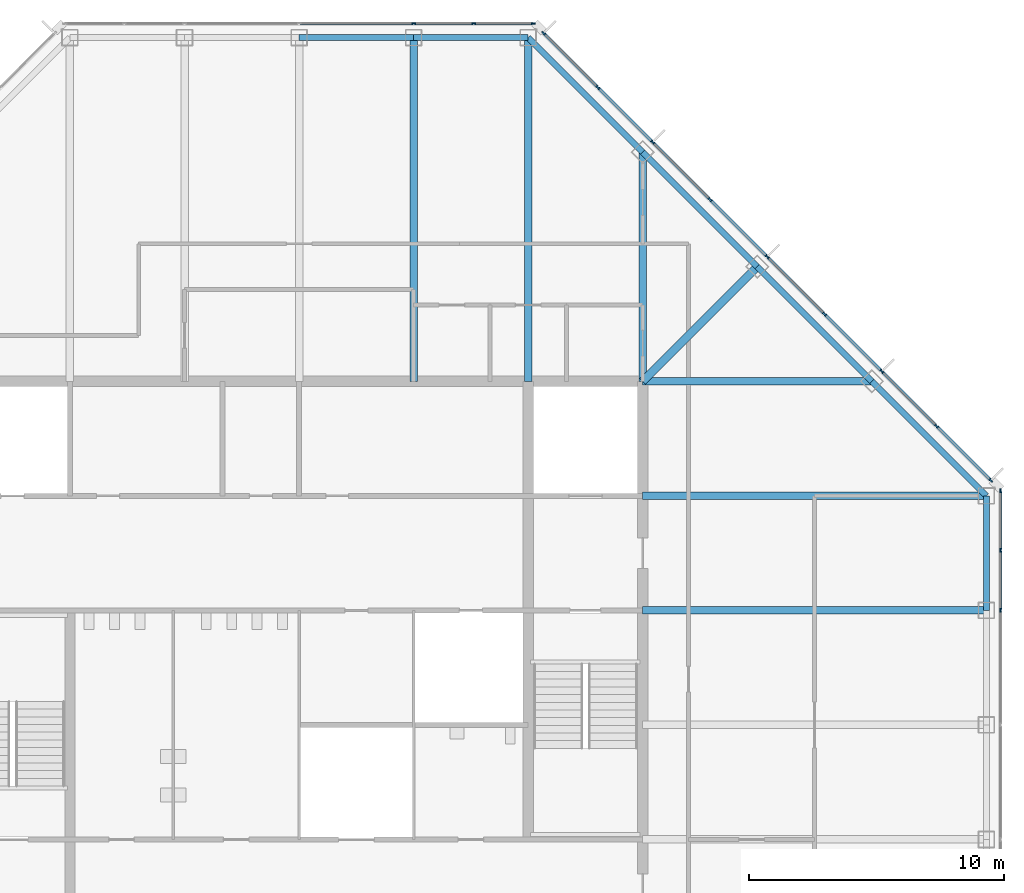
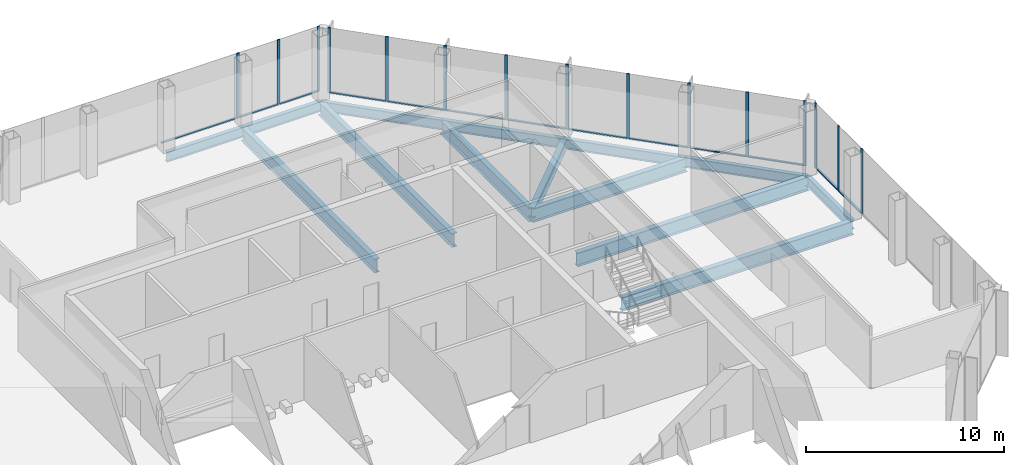
# One storey, part 7 of 14: 28 members, 14 beams, 3 elements without a shape of their own.
"""IFC4 building model written with IfcOpenShell, lengths in metres."""

from ifc_helpers import new_model, si_unit, direction, frame, origin, origin_2d, place, context, subcontext, project, spatial, rectangle, i_section, extrude, material, material_profile, profile_set, type_object, element, aggregate, save


model = new_model("IFC4")

# Units and contexts
model_context = context("Model", 3, precision=1e-05, world=origin(), true_north=direction((0.0, 1.0)))
body_context = subcontext(model_context, "Body", "Model", "MODEL_VIEW")
ifc_project = project(units=[si_unit("LENGTHUNIT", "METRE"), si_unit("AREAUNIT", "SQUARE_METRE"), si_unit("VOLUMEUNIT", "CUBIC_METRE"), si_unit("PLANEANGLEUNIT", "RADIAN"), si_unit("MASSUNIT", "GRAM", prefix="KILO")], contexts=[model_context])

# Site, building, storey
site_placement = place(None, origin())
site = spatial("IfcSite", under=ifc_project, at=site_placement, CompositionType="ELEMENT")
building_placement = place(site_placement, origin())
building = spatial("IfcBuilding", under=site, at=building_placement, Name="Corais Broadcast Tower", CompositionType="ELEMENT")
storey_placement = place(building_placement, frame((0.0, 0.0, 230.60009765625)))
storey = spatial("IfcBuildingStorey", under=building, at=storey_placement, Name="L53", CompositionType="ELEMENT", Elevation=230.60009765625)

# Beams
ifc_material_1 = material(Name="Steel ASTM A572 Grade 50", Category="steel")
ifc_material_profile_1 = material_profile(ifc_material_1, i_section(OverallWidth=0.323974609375, OverallDepth=0.611083984375, WebThickness=0.0126953125, FlangeThickness=0.01904296875, at=origin_2d()), Name="W610x155")
ifc_profile_set_1 = profile_set([ifc_material_profile_1], Name="Steel ASTM A572 Grade 50")
beam_type_1 = type_object("IfcBeamType", Name="Corner diagonal W610x155", PredefinedType="BEAM", material=ifc_profile_set_1)
beam_1_placement = place(storey_placement, frame((45.0, 45.0, -0.465576171875), z_axis=(-0.707106781187, -0.707106781187, 0.0), x_axis=(0.707106781187, -0.707106781187, 0.0)))
element("IfcBeam", 1, at=beam_1_placement, inside=storey, type_object=beam_type_1, Name="B6 L/13 to K/12", PredefinedType="BEAM", context=body_context, shape_type="SweptSolid", body=[
    extrude(i_section(OverallWidth=0.323974609375, OverallDepth=0.611083984375, WebThickness=0.0126953125, FlangeThickness=0.01904296875, at=origin_2d()), origin(), (0.0, 0.0, 1.0), 6.364013671875),
])
ifc_material_2 = material(Name="Steel ASTM A572 Grade 50", Category="steel")
ifc_material_profile_2 = material_profile(ifc_material_2, i_section(OverallWidth=0.2939453125, OverallDepth=0.85107421875, WebThickness=0.01611328125, FlangeThickness=0.02685546875, at=origin_2d()), Name="W840x226")
ifc_profile_set_2 = profile_set([ifc_material_profile_2], Name="Steel ASTM A572 Grade 50")
beam_type_2 = type_object("IfcBeamType", Name="Floor beam W840x226", PredefinedType="BEAM", material=ifc_profile_set_2)
for number, where, z_axis, x_axis, name in (
    (2, (31.5, 54.0, -0.585693359375), (0.0, -1.0, 0.0), (1.0, 0.0, 0.0), "B1 N/10 to K/10"),
    (3, (36.0, 54.0, -0.585693359375), (0.0, -1.0, 0.0), (1.0, 0.0, 0.0), "B1 N/11 to K/11"),
):
    element("IfcBeam", number, at=place(storey_placement, frame(where, z_axis=z_axis, x_axis=x_axis)), inside=storey, type_object=beam_type_2, Name=name, PredefinedType="BEAM", context=body_context, shape_type="SweptSolid", body=[
        extrude(i_section(OverallWidth=0.2939453125, OverallDepth=0.85107421875, WebThickness=0.01611328125, FlangeThickness=0.02685546875, at=origin_2d()), origin(), (0.0, 0.0, 1.0), 13.5),
    ])
for number, where, z_axis, x_axis, name in (
    (4, (40.5, 49.5, -0.585693359375), (0.0, -1.0, 0.0), (1.0, 0.0, 0.0), "B1 M/12 to K/12"),
    (5, (49.5, 40.5, -0.585693359375), (-1.0, 0.0, 0.0), (0.0, -1.0, 0.0), "B1 K/14 to K/12"),
):
    element("IfcBeam", number, at=place(storey_placement, frame(where, z_axis=z_axis, x_axis=x_axis)), inside=storey, type_object=beam_type_2, Name=name, PredefinedType="BEAM", context=body_context, shape_type="SweptSolid", body=[
        extrude(i_section(OverallWidth=0.2939453125, OverallDepth=0.85107421875, WebThickness=0.01611328125, FlangeThickness=0.02685546875, at=origin_2d()), origin(), (0.0, 0.0, 1.0), 9.0),
    ])
for number, where, z_axis, x_axis, name in (
    (6, (54.0, 31.5, -0.585693359375), (-1.0, 0.0, 0.0), (0.0, -1.0, 0.0), "B1 H/15 to H/12"),
    (7, (54.0, 36.0, -0.585693359375), (-1.0, 0.0, 0.0), (0.0, -1.0, 0.0), "B1 J/15 to J/12"),
):
    element("IfcBeam", number, at=place(storey_placement, frame(where, z_axis=z_axis, x_axis=x_axis)), inside=storey, type_object=beam_type_2, Name=name, PredefinedType="BEAM", context=body_context, shape_type="SweptSolid", body=[
        extrude(i_section(OverallWidth=0.2939453125, OverallDepth=0.85107421875, WebThickness=0.01611328125, FlangeThickness=0.02685546875, at=origin_2d()), origin(), (0.0, 0.0, 1.0), 13.5),
    ])

# Curtain wall, members
ifc_material_3 = material(Name="Aluminium and glass", Category="aluminium")
curtain_wall_type = type_object("IfcCurtainWallType", Name="Unitised fritted curtain wall CW3", PredefinedType="NOTDEFINED", material=ifc_material_3)
curtain_wall_1_placement = place(storey_placement, origin())
curtain_wall_1 = element("IfcCurtainWall", 8, at=curtain_wall_1_placement, inside=storey, type_object=curtain_wall_type, Name="CW3 curtain wall L53 4", PredefinedType="NOTDEFINED")
ifc_material_4 = material(Name="Aluminium 6063-T6", Category="aluminium")
ifc_material_profile_3 = material_profile(ifc_material_4, rectangle(XDim=0.06494140625, YDim=0.159912109375, at=origin_2d()), Name="Mullion CW3 65x160")
ifc_profile_set_3 = profile_set([ifc_material_profile_3], Name="Aluminium 6063-T6")
member_type_1 = type_object("IfcMemberType", Name="Mullion CW3 65x160", PredefinedType="MULLION", material=ifc_profile_set_3)
member_1_placement = place(storey_placement, frame((31.5, 54.550048828125, 0.0), z_axis=(0.0, 0.0, 1.0), x_axis=(0.0, 1.0, 0.0)))
member_1 = element("IfcMember", 9, at=member_1_placement, type_object=member_type_1, Name="CW3 mullion 5", PredefinedType="MULLION", context=body_context, shape_type="SweptSolid", body=[
    extrude(rectangle(XDim=0.06494140625, YDim=0.159912109375, at=origin_2d()), origin(), (0.0, 0.0, 1.0), 4.0),
])
member_2_placement = place(storey_placement, frame((33.864013671875, 54.550048828125, 0.0), z_axis=(0.0, 0.0, 1.0), x_axis=(0.0, 1.0, 0.0)))
member_2 = element("IfcMember", 10, at=member_2_placement, type_object=member_type_1, Name="CW3 mullion 6", PredefinedType="MULLION", context=body_context, shape_type="SweptSolid", body=[
    extrude(rectangle(XDim=0.06494140625, YDim=0.159912109375, at=origin_2d()), origin(), (0.0, 0.0, 1.0), 4.0),
])
member_3_placement = place(storey_placement, frame((36.1953125, 54.550048828125, 0.0), z_axis=(0.0, 0.0, 1.0), x_axis=(0.0, 1.0, 0.0)))
member_3 = element("IfcMember", 11, at=member_3_placement, type_object=member_type_1, Name="CW3 mullion 7", PredefinedType="MULLION", context=body_context, shape_type="SweptSolid", body=[
    extrude(rectangle(XDim=0.06494140625, YDim=0.159912109375, at=origin_2d()), origin(), (0.0, 0.0, 1.0), 4.0),
])

curtain_wall_2_placement = place(storey_placement, origin())
curtain_wall_2 = element("IfcCurtainWall", 12, at=curtain_wall_2_placement, inside=storey, type_object=curtain_wall_type, Name="CW3 curtain wall L53 5", PredefinedType="NOTDEFINED")
member_4_placement = place(storey_placement, frame((36.6044921875, 54.17333984375, 0.0), z_axis=(0.0, 0.0, 1.0), x_axis=(0.707106781187, 0.707106781187, 0.0)))
member_4 = element("IfcMember", 13, at=member_4_placement, type_object=member_type_1, Name="CW3 mullion 1", PredefinedType="MULLION", context=body_context, shape_type="SweptSolid", body=[
    extrude(rectangle(XDim=0.06494140625, YDim=0.159912109375, at=origin_2d()), origin(), (0.0, 0.0, 1.0), 4.0),
])
member_5_placement = place(storey_placement, frame((38.735107421875, 52.042724609375, 0.0), z_axis=(0.0, 0.0, 1.0), x_axis=(0.707106781187, 0.707106781187, 0.0)))
member_5 = element("IfcMember", 14, at=member_5_placement, type_object=member_type_1, Name="CW3 mullion 2", PredefinedType="MULLION", context=body_context, shape_type="SweptSolid", body=[
    extrude(rectangle(XDim=0.06494140625, YDim=0.159912109375, at=origin_2d()), origin(), (0.0, 0.0, 1.0), 4.0),
])
member_6_placement = place(storey_placement, frame((40.888916015625, 49.888916015625, 0.0), z_axis=(0.0, 0.0, 1.0), x_axis=(0.707106781187, 0.707106781187, 0.0)))
member_6 = element("IfcMember", 15, at=member_6_placement, type_object=member_type_1, Name="CW3 mullion 3", PredefinedType="MULLION", context=body_context, shape_type="SweptSolid", body=[
    extrude(rectangle(XDim=0.06494140625, YDim=0.159912109375, at=origin_2d()), origin(), (0.0, 0.0, 1.0), 4.0),
])
member_7_placement = place(storey_placement, frame((43.138916015625, 47.638916015625, 0.0), z_axis=(0.0, 0.0, 1.0), x_axis=(0.707106781187, 0.707106781187, 0.0)))
member_7 = element("IfcMember", 16, at=member_7_placement, type_object=member_type_1, Name="CW3 mullion 4", PredefinedType="MULLION", context=body_context, shape_type="SweptSolid", body=[
    extrude(rectangle(XDim=0.06494140625, YDim=0.159912109375, at=origin_2d()), origin(), (0.0, 0.0, 1.0), 4.0),
])
member_8_placement = place(storey_placement, frame((45.388916015625, 45.388916015625, 0.0), z_axis=(0.0, 0.0, 1.0), x_axis=(0.707106781187, 0.707106781187, 0.0)))
member_8 = element("IfcMember", 17, at=member_8_placement, type_object=member_type_1, Name="CW3 mullion 5", PredefinedType="MULLION", context=body_context, shape_type="SweptSolid", body=[
    extrude(rectangle(XDim=0.06494140625, YDim=0.159912109375, at=origin_2d()), origin(), (0.0, 0.0, 1.0), 4.0),
])
member_9_placement = place(storey_placement, frame((47.638916015625, 43.138916015625, 0.0), z_axis=(0.0, 0.0, 1.0), x_axis=(0.707106781187, 0.707106781187, 0.0)))
member_9 = element("IfcMember", 18, at=member_9_placement, type_object=member_type_1, Name="CW3 mullion 6", PredefinedType="MULLION", context=body_context, shape_type="SweptSolid", body=[
    extrude(rectangle(XDim=0.06494140625, YDim=0.159912109375, at=origin_2d()), origin(), (0.0, 0.0, 1.0), 4.0),
])
member_10_placement = place(storey_placement, frame((49.888916015625, 40.888916015625, 0.0), z_axis=(0.0, 0.0, 1.0), x_axis=(0.707106781187, 0.707106781187, 0.0)))
member_10 = element("IfcMember", 19, at=member_10_placement, type_object=member_type_1, Name="CW3 mullion 7", PredefinedType="MULLION", context=body_context, shape_type="SweptSolid", body=[
    extrude(rectangle(XDim=0.06494140625, YDim=0.159912109375, at=origin_2d()), origin(), (0.0, 0.0, 1.0), 4.0),
])
member_11_placement = place(storey_placement, frame((52.042724609375, 38.735107421875, 0.0), z_axis=(0.0, 0.0, 1.0), x_axis=(0.707106781187, 0.707106781187, 0.0)))
member_11 = element("IfcMember", 20, at=member_11_placement, type_object=member_type_1, Name="CW3 mullion 8", PredefinedType="MULLION", context=body_context, shape_type="SweptSolid", body=[
    extrude(rectangle(XDim=0.06494140625, YDim=0.159912109375, at=origin_2d()), origin(), (0.0, 0.0, 1.0), 4.0),
])
member_12_placement = place(storey_placement, frame((54.17333984375, 36.6044921875, 0.0), z_axis=(0.0, 0.0, 1.0), x_axis=(0.707106781187, 0.707106781187, 0.0)))
member_12 = element("IfcMember", 21, at=member_12_placement, type_object=member_type_1, Name="CW3 mullion 9", PredefinedType="MULLION", context=body_context, shape_type="SweptSolid", body=[
    extrude(rectangle(XDim=0.06494140625, YDim=0.159912109375, at=origin_2d()), origin(), (0.0, 0.0, 1.0), 4.0),
])

curtain_wall_3_placement = place(storey_placement, origin())
curtain_wall_3 = element("IfcCurtainWall", 22, at=curtain_wall_3_placement, inside=storey, type_object=curtain_wall_type, Name="CW3 curtain wall L53 6", PredefinedType="NOTDEFINED")
member_13_placement = place(storey_placement, frame((54.550048828125, 36.1953125, 0.0), z_axis=(0.0, 0.0, 1.0), x_axis=(1.0, 0.0, 0.0)))
member_13 = element("IfcMember", 23, at=member_13_placement, type_object=member_type_1, Name="CW3 mullion 1", PredefinedType="MULLION", context=body_context, shape_type="SweptSolid", body=[
    extrude(rectangle(XDim=0.06494140625, YDim=0.159912109375, at=origin_2d()), origin(), (0.0, 0.0, 1.0), 4.0),
])
member_14_placement = place(storey_placement, frame((54.550048828125, 33.864013671875, 0.0), z_axis=(0.0, 0.0, 1.0), x_axis=(1.0, 0.0, 0.0)))
member_14 = element("IfcMember", 24, at=member_14_placement, type_object=member_type_1, Name="CW3 mullion 2", PredefinedType="MULLION", context=body_context, shape_type="SweptSolid", body=[
    extrude(rectangle(XDim=0.06494140625, YDim=0.159912109375, at=origin_2d()), origin(), (0.0, 0.0, 1.0), 4.0),
])
member_15_placement = place(storey_placement, frame((54.550048828125, 31.5, 0.0), z_axis=(0.0, 0.0, 1.0), x_axis=(1.0, 0.0, 0.0)))
member_15 = element("IfcMember", 25, at=member_15_placement, type_object=member_type_1, Name="CW3 mullion 3", PredefinedType="MULLION", context=body_context, shape_type="SweptSolid", body=[
    extrude(rectangle(XDim=0.06494140625, YDim=0.159912109375, at=origin_2d()), origin(), (0.0, 0.0, 1.0), 4.0),
])

# Beams
ifc_material_5 = material(Name="Steel ASTM A572 Grade 50", Category="steel")
ifc_material_profile_4 = material_profile(ifc_material_5, i_section(OverallWidth=0.22998046875, OverallDepth=0.616943359375, WebThickness=0.01318359375, FlangeThickness=0.022216796875, at=origin_2d()), Name="W610x140")
ifc_profile_set_4 = profile_set([ifc_material_profile_4], Name="Steel ASTM A572 Grade 50")
beam_type_3 = type_object("IfcBeamType", Name="Spandrel W610x140", PredefinedType="BEAM", material=ifc_profile_set_4)
for number, where, z_axis, x_axis, name in (
    (26, (31.5, 54.0, -0.468505859375), (-1.0, 0.0, 0.0), (0.0, -1.0, 0.0), "SB3 N/10 to N/9"),
    (27, (36.0, 54.0, -0.468505859375), (-1.0, 0.0, 0.0), (0.0, -1.0, 0.0), "SB3 N/11 to N/10"),
):
    element("IfcBeam", number, at=place(storey_placement, frame(where, z_axis=z_axis, x_axis=x_axis)), inside=storey, type_object=beam_type_3, Name=name, PredefinedType="BEAM", context=body_context, shape_type="SweptSolid", body=[
        extrude(i_section(OverallWidth=0.22998046875, OverallDepth=0.616943359375, WebThickness=0.01318359375, FlangeThickness=0.022216796875, at=origin_2d()), origin(), (0.0, 0.0, 1.0), 4.5),
    ])
for number, where, z_axis, x_axis, name in (
    (28, (40.5, 49.5, -0.468505859375), (-0.707106781187, 0.707106781187, 0.0), (-0.707106781187, -0.707106781187, 0.0), "SB3 M/12 to N/11"),
    (29, (45.0, 45.0, -0.468505859375), (-0.707106781187, 0.707106781187, 0.0), (-0.707106781187, -0.707106781187, 0.0), "SB3 L/13 to M/12"),
    (30, (49.5, 40.5, -0.468505859375), (-0.707106781187, 0.707106781187, 0.0), (-0.707106781187, -0.707106781187, 0.0), "SB3 K/14 to L/13"),
):
    element("IfcBeam", number, at=place(storey_placement, frame(where, z_axis=z_axis, x_axis=x_axis)), inside=storey, type_object=beam_type_3, Name=name, PredefinedType="BEAM", context=body_context, shape_type="SweptSolid", body=[
        extrude(i_section(OverallWidth=0.22998046875, OverallDepth=0.616943359375, WebThickness=0.01318359375, FlangeThickness=0.022216796875, at=origin_2d()), origin(), (0.0, 0.0, 1.0), 6.364013671875),
    ])
beam_2_placement = place(storey_placement, frame((54.0, 31.5, -0.468505859375), z_axis=(0.0, 1.0, 0.0), x_axis=(-1.0, 0.0, 0.0)))
element("IfcBeam", 31, at=beam_2_placement, inside=storey, type_object=beam_type_3, Name="SB3 H/15 to J/15", PredefinedType="BEAM", context=body_context, shape_type="SweptSolid", body=[
    extrude(i_section(OverallWidth=0.22998046875, OverallDepth=0.616943359375, WebThickness=0.01318359375, FlangeThickness=0.022216796875, at=origin_2d()), origin(), (0.0, 0.0, 1.0), 4.5),
])
beam_3_placement = place(storey_placement, frame((54.0, 36.0, -0.468505859375), z_axis=(-0.707106781187, 0.707106781187, 0.0), x_axis=(-0.707106781187, -0.707106781187, 0.0)))
element("IfcBeam", 32, at=beam_3_placement, inside=storey, type_object=beam_type_3, Name="SB3 J/15 to K/14", PredefinedType="BEAM", context=body_context, shape_type="SweptSolid", body=[
    extrude(i_section(OverallWidth=0.22998046875, OverallDepth=0.616943359375, WebThickness=0.01318359375, FlangeThickness=0.022216796875, at=origin_2d()), origin(), (0.0, 0.0, 1.0), 6.364013671875),
])

# Member
ifc_material_6 = material(Name="Aluminium 6063-T6", Category="aluminium")
ifc_material_profile_5 = material_profile(ifc_material_6, rectangle(XDim=0.1201171875, YDim=0.06494140625, at=origin_2d()), Name="Transom CW3 65x120")
ifc_profile_set_5 = profile_set([ifc_material_profile_5], Name="Aluminium 6063-T6")
member_type_2 = type_object("IfcMemberType", Name="Transom CW3 65x120", PredefinedType="USERDEFINED", material=ifc_profile_set_5)
member_16_placement = place(storey_placement, frame((27.032470703125, 54.550048828125, 0.032470703125), z_axis=(1.0, 0.0, 0.0), x_axis=(0.0, 1.0, 0.0)))
member_16 = element("IfcMember", 33, at=member_16_placement, type_object=member_type_2, Name="CW3 transom 4.1", ObjectType="TRANSOM", PredefinedType="USERDEFINED", context=body_context, shape_type="SweptSolid", body=[
    extrude(rectangle(XDim=0.1201171875, YDim=0.06494140625, at=origin_2d()), origin(), (0.0, 0.0, 1.0), 4.43505859375),
])

member_17_placement = place(storey_placement, frame((31.532470703125, 54.550048828125, 0.032470703125), z_axis=(1.0, 0.0, 0.0), x_axis=(0.0, 1.0, 0.0)))
member_17 = element("IfcMember", 34, at=member_17_placement, type_object=member_type_2, Name="CW3 transom 5.1", ObjectType="TRANSOM", PredefinedType="USERDEFINED", context=body_context, shape_type="SweptSolid", body=[
    extrude(rectangle(XDim=0.1201171875, YDim=0.06494140625, at=origin_2d()), origin(), (0.0, 0.0, 1.0), 2.298828125),
])

member_18_placement = place(storey_placement, frame((33.896484375, 54.550048828125, 0.032470703125), z_axis=(1.0, 0.0, 0.0), x_axis=(0.0, 1.0, 0.0)))
member_18 = element("IfcMember", 35, at=member_18_placement, type_object=member_type_2, Name="CW3 transom 6.1", ObjectType="TRANSOM", PredefinedType="USERDEFINED", context=body_context, shape_type="SweptSolid", body=[
    extrude(rectangle(XDim=0.1201171875, YDim=0.06494140625, at=origin_2d()), origin(), (0.0, 0.0, 1.0), 2.266357421875),
])

aggregate(curtain_wall_1, [member_1, member_2, member_3, member_16, member_17, member_18])

member_19_placement = place(storey_placement, frame((36.62744140625, 54.150390625, 0.032470703125), z_axis=(0.707106781187, -0.707106781187, 0.0), x_axis=(0.707106781187, 0.707106781187, 0.0)))
member_19 = element("IfcMember", 36, at=member_19_placement, type_object=member_type_2, Name="CW3 transom 1.1", ObjectType="TRANSOM", PredefinedType="USERDEFINED", context=body_context, shape_type="SweptSolid", body=[
    extrude(rectangle(XDim=0.1201171875, YDim=0.06494140625, at=origin_2d()), origin(), (0.0, 0.0, 1.0), 2.9482421875),
])

member_20_placement = place(storey_placement, frame((38.758056640625, 52.019775390625, 0.032470703125), z_axis=(0.707106781187, -0.707106781187, 0.0), x_axis=(0.707106781187, 0.707106781187, 0.0)))
member_20 = element("IfcMember", 37, at=member_20_placement, type_object=member_type_2, Name="CW3 transom 2.1", ObjectType="TRANSOM", PredefinedType="USERDEFINED", context=body_context, shape_type="SweptSolid", body=[
    extrude(rectangle(XDim=0.1201171875, YDim=0.06494140625, at=origin_2d()), origin(), (0.0, 0.0, 1.0), 2.98095703125),
])

member_21_placement = place(storey_placement, frame((40.911865234375, 49.865966796875, 0.032470703125), z_axis=(0.707106781187, -0.707106781187, 0.0), x_axis=(0.707106781187, 0.707106781187, 0.0)))
member_21 = element("IfcMember", 38, at=member_21_placement, type_object=member_type_2, Name="CW3 transom 3.1", ObjectType="TRANSOM", PredefinedType="USERDEFINED", context=body_context, shape_type="SweptSolid", body=[
    extrude(rectangle(XDim=0.1201171875, YDim=0.06494140625, at=origin_2d()), origin(), (0.0, 0.0, 1.0), 3.1171875),
])

member_22_placement = place(storey_placement, frame((43.161865234375, 47.615966796875, 0.032470703125), z_axis=(0.707106781187, -0.707106781187, 0.0), x_axis=(0.707106781187, 0.707106781187, 0.0)))
member_22 = element("IfcMember", 39, at=member_22_placement, type_object=member_type_2, Name="CW3 transom 4.1", ObjectType="TRANSOM", PredefinedType="USERDEFINED", context=body_context, shape_type="SweptSolid", body=[
    extrude(rectangle(XDim=0.1201171875, YDim=0.06494140625, at=origin_2d()), origin(), (0.0, 0.0, 1.0), 3.1171875),
])

member_23_placement = place(storey_placement, frame((45.411865234375, 45.365966796875, 0.032470703125), z_axis=(0.707106781187, -0.707106781187, 0.0), x_axis=(0.707106781187, 0.707106781187, 0.0)))
member_23 = element("IfcMember", 40, at=member_23_placement, type_object=member_type_2, Name="CW3 transom 5.1", ObjectType="TRANSOM", PredefinedType="USERDEFINED", context=body_context, shape_type="SweptSolid", body=[
    extrude(rectangle(XDim=0.1201171875, YDim=0.06494140625, at=origin_2d()), origin(), (0.0, 0.0, 1.0), 3.1171875),
])

member_24_placement = place(storey_placement, frame((47.661865234375, 43.115966796875, 0.032470703125), z_axis=(0.707106781187, -0.707106781187, 0.0), x_axis=(0.707106781187, 0.707106781187, 0.0)))
member_24 = element("IfcMember", 41, at=member_24_placement, type_object=member_type_2, Name="CW3 transom 6.1", ObjectType="TRANSOM", PredefinedType="USERDEFINED", context=body_context, shape_type="SweptSolid", body=[
    extrude(rectangle(XDim=0.1201171875, YDim=0.06494140625, at=origin_2d()), origin(), (0.0, 0.0, 1.0), 3.1171875),
])

member_25_placement = place(storey_placement, frame((49.911865234375, 40.865966796875, 0.032470703125), z_axis=(0.707065828661, -0.70714773134, 0.0), x_axis=(0.70714773134, 0.707065828661, 0.0)))
member_25 = element("IfcMember", 42, at=member_25_placement, type_object=member_type_2, Name="CW3 transom 7.1", ObjectType="TRANSOM", PredefinedType="USERDEFINED", context=body_context, shape_type="SweptSolid", body=[
    extrude(rectangle(XDim=0.1201171875, YDim=0.06494140625, at=origin_2d()), origin(), (0.0, 0.0, 1.0), 2.98095703125),
])

member_26_placement = place(storey_placement, frame((52.065673828125, 38.712158203125, 0.032470703125), z_axis=(0.707106781187, -0.707106781187, 0.0), x_axis=(0.707106781187, 0.707106781187, 0.0)))
member_26 = element("IfcMember", 43, at=member_26_placement, type_object=member_type_2, Name="CW3 transom 8.1", ObjectType="TRANSOM", PredefinedType="USERDEFINED", context=body_context, shape_type="SweptSolid", body=[
    extrude(rectangle(XDim=0.1201171875, YDim=0.06494140625, at=origin_2d()), origin(), (0.0, 0.0, 1.0), 2.9482421875),
])

aggregate(curtain_wall_2, [member_4, member_5, member_6, member_7, member_8, member_9, member_10, member_11, member_12, member_19, member_20, member_21, member_22, member_23, member_24, member_25, member_26])

member_27_placement = place(storey_placement, frame((54.550048828125, 36.162841796875, 0.032470703125), z_axis=(0.0, -1.0, 0.0), x_axis=(1.0, 0.0, 0.0)))
member_27 = element("IfcMember", 44, at=member_27_placement, type_object=member_type_2, Name="CW3 transom 1.1", ObjectType="TRANSOM", PredefinedType="USERDEFINED", context=body_context, shape_type="SweptSolid", body=[
    extrude(rectangle(XDim=0.1201171875, YDim=0.06494140625, at=origin_2d()), origin(), (0.0, 0.0, 1.0), 2.266357421875),
])

member_28_placement = place(storey_placement, frame((54.550048828125, 33.831298828125, 0.032470703125), z_axis=(0.0, -1.0, 0.0), x_axis=(1.0, 0.0, 0.0)))
member_28 = element("IfcMember", 45, at=member_28_placement, type_object=member_type_2, Name="CW3 transom 2.1", ObjectType="TRANSOM", PredefinedType="USERDEFINED", context=body_context, shape_type="SweptSolid", body=[
    extrude(rectangle(XDim=0.1201171875, YDim=0.06494140625, at=origin_2d()), origin(), (0.0, 0.0, 1.0), 2.298828125),
])

aggregate(curtain_wall_3, [member_13, member_14, member_15, member_27, member_28])

save(model, "model.ifc")
